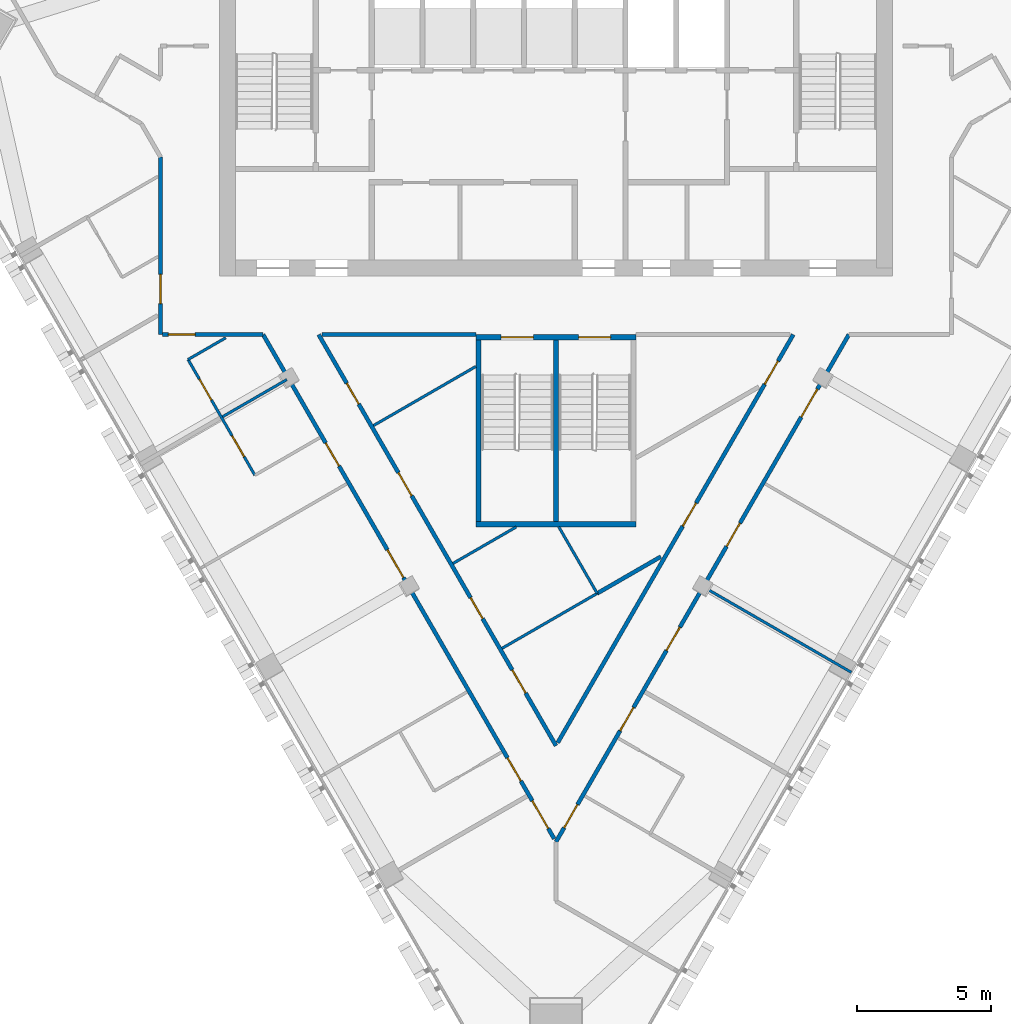
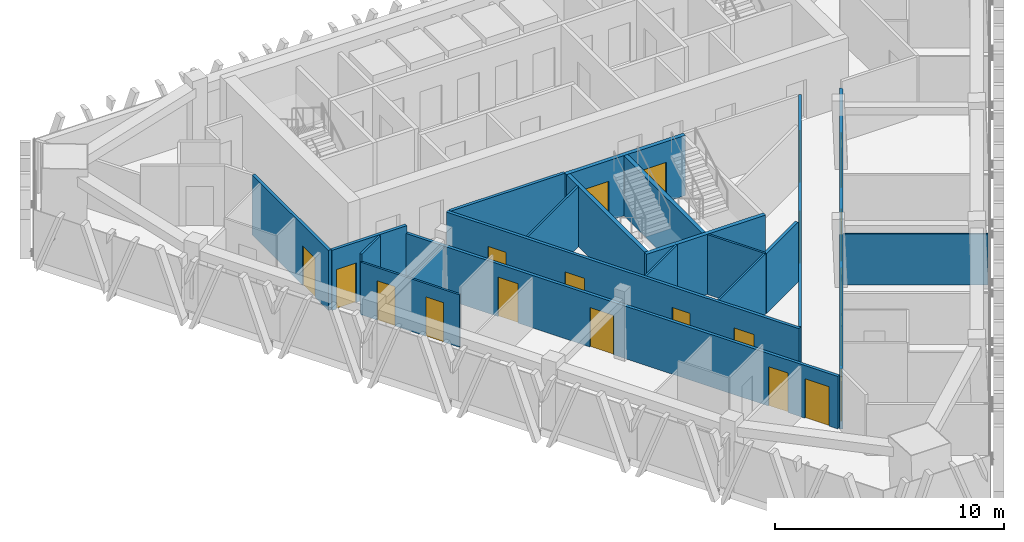
# One storey, part 8 of 14: 21 doors, 20 walls, 21 openings.
"""IFC4 building model written with IfcOpenShell, lengths in metres."""

from ifc_helpers import new_model, si_unit, direction, frame, frame_2d, origin, place, context, subcontext, project, spatial, rectangle, extrude, material, layer, layer_set, type_object, element, fill, save


model = new_model("IFC4")

# Units and contexts
model_context = context("Model", 3, precision=1e-05, world=origin(), true_north=direction((0.0, 1.0)))
body_context = subcontext(model_context, "Body", "Model", "MODEL_VIEW")
ifc_project = project(units=[si_unit("LENGTHUNIT", "METRE"), si_unit("AREAUNIT", "SQUARE_METRE"), si_unit("VOLUMEUNIT", "CUBIC_METRE"), si_unit("PLANEANGLEUNIT", "RADIAN"), si_unit("MASSUNIT", "GRAM", prefix="KILO")], contexts=[model_context])

# Site, building, storey
site_placement = place(None, origin())
site = spatial("IfcSite", under=ifc_project, at=site_placement, CompositionType="ELEMENT")
building_placement = place(site_placement, origin())
building = spatial("IfcBuilding", under=site, at=building_placement, Name="Altiplano Prism Tower", CompositionType="ELEMENT")
storey_placement = place(building_placement, frame((0.0, 0.0, 242.800048828125)))
storey = spatial("IfcBuildingStorey", under=building, at=storey_placement, Name="L62", CompositionType="ELEMENT", Elevation=242.800048828125)

# Wall, openings, doors
ifc_material_1 = material(Name="Plasterboard on steel stud", Category="steel")
ifc_layer_1 = layer(ifc_material_1, 0.10009765625)
ifc_layer_set_1 = layer_set([ifc_layer_1], Name="Plasterboard on steel stud")
wall_type_1 = type_object("IfcWallType", Name="Partition 100 unit", PredefinedType="PARTITIONING", material=ifc_layer_set_1)
wall_1_placement = place(storey_placement, frame((73.72607421875, 85.337158203125, 0.0), z_axis=(0.0, 0.0, 1.0), x_axis=(-0.500004234368, 0.866022959057, 0.0)))
wall_1 = element("IfcWall", 1, at=wall_1_placement, inside=storey, type_object=wall_type_1, Name="Partition P02 L62 036", PredefinedType="PARTITIONING", context=body_context, shape_type="SweptSolid", body=[
    extrude(rectangle(XDim=5.0, YDim=0.10009765625, at=frame_2d((2.5, 0.0))), origin(), (0.0, 0.0, 1.0), 2.800048828125),
])
opening_1_placement = place(wall_1_placement, frame((3.2529296875, 0.0, 0.0)))
opening_1 = element("IfcOpeningElement", 2, at=opening_1_placement, cuts=wall_1, Name="Opening D2027", PredefinedType="OPENING", context=body_context, shape_type="SweptSolid", body=[
    extrude(rectangle(XDim=0.89990234375, YDim=2.10009765625, at=frame_2d((0.449951171875, 1.050048828125))), frame((0.0, 0.060546875, 0.0), z_axis=(0.0, -1.0, 0.0), x_axis=(1.0, 0.0, 0.0)), (0.0, 0.0, 1.0), 0.12109375),
])
opening_2_placement = place(wall_1_placement, frame((0.800048828125, 0.0, 0.0)))
opening_2 = element("IfcOpeningElement", 3, at=opening_2_placement, cuts=wall_1, Name="Opening D2029", PredefinedType="OPENING", context=body_context, shape_type="SweptSolid", body=[
    extrude(rectangle(XDim=0.89990234375, YDim=2.10009765625, at=frame_2d((0.449951171875, 1.050048828125))), frame((0.0, 0.060546875, 0.0), z_axis=(0.0, -1.0, 0.0), x_axis=(1.0, 0.0, 0.0)), (0.0, 0.0, 1.0), 0.12109375),
])
ifc_material_2 = material(Name="Timber", Category="wood")
door_type_1 = type_object("IfcDoorType", Name="Ensuite door 900 x 2100", OperationType="NOTDEFINED", PredefinedType="NOTDEFINED", material=ifc_material_2)
door_1_placement = place(opening_1_placement, origin())
door_1 = element("IfcDoor", 4, at=door_1_placement, inside=storey, type_object=door_type_1, Name="Door D2027", OperationType="SINGLE_SWING_LEFT", OverallHeight=2.10009765625, OverallWidth=0.89990234375, PredefinedType="NOTDEFINED", context=body_context, shape_type="SweptSolid", body=[
    extrude(rectangle(XDim=0.89990234375, YDim=2.10009765625, at=frame_2d((0.449951171875, 1.050048828125))), frame((0.0, 0.02490234375, 0.0), z_axis=(0.0, -1.0, 0.0), x_axis=(1.0, 0.0, 0.0)), (0.0, 0.0, 1.0), 0.050048828125),
])
fill(opening_1, door_1)
door_2_placement = place(opening_2_placement, origin())
door_2 = element("IfcDoor", 5, at=door_2_placement, inside=storey, type_object=door_type_1, Name="Door D2029", OperationType="SINGLE_SWING_LEFT", OverallHeight=2.10009765625, OverallWidth=0.89990234375, PredefinedType="NOTDEFINED", context=body_context, shape_type="SweptSolid", body=[
    extrude(rectangle(XDim=0.89990234375, YDim=2.10009765625, at=frame_2d((0.449951171875, 1.050048828125))), frame((0.0, 0.02490234375, 0.0), z_axis=(0.0, -1.0, 0.0), x_axis=(1.0, 0.0, 0.0)), (0.0, 0.0, 1.0), 0.050048828125),
])
fill(opening_2, door_2)

# Walls
wall_2_placement = place(storey_placement, frame((71.22607421875, 89.667236328125, 0.0), z_axis=(0.0, 0.0, 1.0), x_axis=(0.866020851292, 0.500007885066, 0.0)))
element("IfcWall", 6, at=wall_2_placement, inside=storey, type_object=wall_type_1, Name="Partition P02 L62 037", PredefinedType="PARTITIONING", context=body_context, shape_type="SweptSolid", body=[
    extrude(rectangle(XDim=1.62890625, YDim=0.10009765625, at=frame_2d((0.814453125, 0.0))), origin(), (0.0, 0.0, 1.0), 3.199951171875),
])
ifc_layer_2 = layer(ifc_material_1, 0.10009765625)
ifc_layer_set_2 = layer_set([ifc_layer_2], Name="Plasterboard on steel stud")
wall_type_2 = type_object("IfcWallType", Name="Partition 100 wet", PredefinedType="PARTITIONING", material=ifc_layer_set_2)
wall_3_placement = place(storey_placement, frame((78.16748046875, 87.194580078125, 0.0), z_axis=(0.0, 0.0, 1.0), x_axis=(0.866031245092, 0.499989882422, 0.0)))
element("IfcWall", 7, at=wall_3_placement, inside=storey, type_object=wall_type_2, Name="Partition P03 L62 023", PredefinedType="PARTITIONING", context=body_context, shape_type="SweptSolid", body=[
    extrude(rectangle(XDim=4.42529296875, YDim=0.10009765625, at=frame_2d((2.212646484375, 0.0))), origin(), (0.0, 0.0, 1.0), 3.199951171875),
])
wall_4_placement = place(storey_placement, frame((82.981689453125, 78.85595703125, 0.0), z_axis=(0.0, 0.0, 1.0), x_axis=(0.866016334377, 0.500015708345, 0.0)))
element("IfcWall", 8, at=wall_4_placement, inside=storey, type_object=wall_type_2, Name="Partition P03 L62 024", PredefinedType="PARTITIONING", context=body_context, shape_type="SweptSolid", body=[
    extrude(rectangle(XDim=4.131591796875, YDim=0.10009765625, at=frame_2d((2.06591796875, 0.0))), origin(), (0.0, 0.0, 1.0), 3.199951171875),
])
wall_5_placement = place(storey_placement, frame((86.54248046875, 80.911865234375, 0.0), z_axis=(0.0, 0.0, 1.0), x_axis=(-0.500014238528, 0.866017183011, 0.0)))
element("IfcWall", 9, at=wall_5_placement, inside=storey, type_object=wall_type_2, Name="Partition P03 L62 025", PredefinedType="PARTITIONING", context=body_context, shape_type="SweptSolid", body=[
    extrude(rectangle(XDim=2.873046875, YDim=0.10009765625, at=frame_2d((1.4365234375, 0.0))), origin(), (0.0, 0.0, 1.0), 3.199951171875),
])
wall_6_placement = place(storey_placement, frame((83.5126953125, 83.39990234375, 0.0), z_axis=(0.0, 0.0, 1.0), x_axis=(-0.866068024448, -0.499926171578, 0.0)))
element("IfcWall", 10, at=wall_6_placement, inside=storey, type_object=wall_type_2, Name="Partition P03 L62 026", PredefinedType="PARTITIONING", context=body_context, shape_type="SweptSolid", body=[
    extrude(rectangle(XDim=2.73193359375, YDim=0.10009765625, at=frame_2d((1.365966796875, 0.0))), origin(), (0.0, 0.0, 1.0), 3.199951171875),
])
wall_7_placement = place(storey_placement, frame((72.519287109375, 87.527099609375, 0.0), z_axis=(0.0, 0.0, 1.0), x_axis=(0.86600392025, 0.500037208726, 0.0)))
element("IfcWall", 11, at=wall_7_placement, inside=storey, type_object=wall_type_2, Name="Partition P03 L62 039", PredefinedType="PARTITIONING", context=body_context, shape_type="SweptSolid", body=[
    extrude(rectangle(XDim=2.775146484375, YDim=0.10009765625, at=frame_2d((1.3876953125, 0.0))), origin(), (0.0, 0.0, 1.0), 2.800048828125),
])
wall_8_placement = place(storey_placement, frame((96.054931640625, 77.9580078125, 0.0), z_axis=(0.0, 0.0, 1.0), x_axis=(-0.866032601554, 0.49998753289, 0.0)))
element("IfcWall", 12, at=wall_8_placement, inside=storey, type_object=wall_type_2, Name="Partition P03 L62 053", PredefinedType="PARTITIONING", context=body_context, shape_type="SweptSolid", body=[
    extrude(rectangle(XDim=6.324951171875, YDim=0.10009765625, at=frame_2d((3.16259765625, 0.0))), origin(), (0.0, 0.0, 1.0), 2.699951171875),
])
ifc_layer_3 = layer(ifc_material_1, 0.14990234375)
ifc_layer_set_3 = layer_set([ifc_layer_3], Name="Plasterboard on steel stud")
wall_type_3 = type_object("IfcWallType", Name="Partition 150 corridor", PredefinedType="PARTITIONING", material=ifc_layer_set_3)
wall_9_placement = place(storey_placement, frame((76.24462890625, 90.60009765625, 0.0), z_axis=(0.0, 0.0, 1.0), x_axis=(0.999999985605, -0.000169678457, 0.0)))
element("IfcWall", 13, at=wall_9_placement, inside=storey, type_object=wall_type_3, Name="Partition P06 L62 001", PredefinedType="PARTITIONING", context=body_context, shape_type="SweptSolid", body=[
    extrude(rectangle(XDim=5.75537109375, YDim=0.14990234375, at=frame_2d((2.877685546875, 0.0))), origin(), (0.0, 0.0, 1.0), 3.199951171875),
])

# Wall, opening, door
wall_10_placement = place(storey_placement, frame((70.199951171875, 97.244384765625, 0.0), z_axis=(0.0, 0.0, 1.0), x_axis=(0.0, -1.0, 0.0)))
wall_10 = element("IfcWall", 14, at=wall_10_placement, inside=storey, type_object=wall_type_3, Name="Partition P06 L62 005", PredefinedType="PARTITIONING", context=body_context, shape_type="SweptSolid", body=[
    extrude(rectangle(XDim=6.644287109375, YDim=0.14990234375, at=frame_2d((3.322265625, 0.0))), origin(), (0.0, 0.0, 1.0), 3.199951171875),
])
opening_3_placement = place(wall_10_placement, frame((4.387939453125, 0.0, 0.0)))
opening_3 = element("IfcOpeningElement", 15, at=opening_3_placement, cuts=wall_10, Name="Opening D2024", PredefinedType="OPENING", context=body_context, shape_type="SweptSolid", body=[
    extrude(rectangle(XDim=1.10009765625, YDim=2.10009765625, at=frame_2d((0.550048828125, 1.050048828125))), frame((0.0, 0.08544921875, 0.0), z_axis=(0.0, -1.0, 0.0), x_axis=(1.0, 0.0, 0.0)), (0.0, 0.0, 1.0), 0.1708984375),
])
door_type_2 = type_object("IfcDoorType", Name="Accessible bedroom door 1100 x 2100", OperationType="NOTDEFINED", PredefinedType="NOTDEFINED", material=ifc_material_2)
door_3_placement = place(opening_3_placement, origin())
door_3 = element("IfcDoor", 16, at=door_3_placement, inside=storey, type_object=door_type_2, Name="Door D2024", OperationType="SINGLE_SWING_RIGHT", OverallHeight=2.10009765625, OverallWidth=1.10009765625, PredefinedType="NOTDEFINED", context=body_context, shape_type="SweptSolid", body=[
    extrude(rectangle(XDim=1.10009765625, YDim=2.10009765625, at=frame_2d((0.550048828125, 1.050048828125))), frame((0.0, 0.02490234375, 0.0), z_axis=(0.0, -1.0, 0.0), x_axis=(1.0, 0.0, 0.0)), (0.0, 0.0, 1.0), 0.050048828125),
])
fill(opening_3, door_3)

wall_11_placement = place(storey_placement, frame((70.27490234375, 90.60009765625, 0.0), z_axis=(0.0, 0.0, 1.0), x_axis=(1.0, 0.0, 0.0)))
wall_11 = element("IfcWall", 17, at=wall_11_placement, inside=storey, type_object=wall_type_3, Name="Partition P06 L62 006", PredefinedType="PARTITIONING", context=body_context, shape_type="SweptSolid", body=[
    extrude(rectangle(XDim=3.76123046875, YDim=0.14990234375, at=frame_2d((1.880615234375, 0.0))), origin(), (0.0, 0.0, 1.0), 3.199951171875),
])
opening_4_placement = place(wall_11_placement, frame((0.216064453125, 0.0, 0.0)))
opening_4 = element("IfcOpeningElement", 18, at=opening_4_placement, cuts=wall_11, Name="Opening D2026", PredefinedType="OPENING", context=body_context, shape_type="SweptSolid", body=[
    extrude(rectangle(XDim=1.0, YDim=2.10009765625, at=frame_2d((0.5, 1.050048828125))), frame((0.0, 0.08544921875, 0.0), z_axis=(0.0, -1.0, 0.0), x_axis=(1.0, 0.0, 0.0)), (0.0, 0.0, 1.0), 0.1708984375),
])
door_type_3 = type_object("IfcDoorType", Name="Bedroom entrance door 1000 x 2100", OperationType="NOTDEFINED", PredefinedType="NOTDEFINED", material=ifc_material_2)
door_4_placement = place(opening_4_placement, origin())
door_4 = element("IfcDoor", 19, at=door_4_placement, inside=storey, type_object=door_type_3, Name="Door D2026", OperationType="SINGLE_SWING_LEFT", OverallHeight=2.10009765625, OverallWidth=1.0, PredefinedType="NOTDEFINED", context=body_context, shape_type="SweptSolid", body=[
    extrude(rectangle(XDim=1.0, YDim=2.10009765625, at=frame_2d((0.5, 1.050048828125))), frame((0.0, 0.02490234375, 0.0), z_axis=(0.0, -1.0, 0.0), x_axis=(1.0, 0.0, 0.0)), (0.0, 0.0, 1.0), 0.050048828125),
])
fill(opening_4, door_4)

# Wall, openings, doors
wall_12_placement = place(storey_placement, frame((74.0361328125, 90.60009765625, 0.0), z_axis=(0.0, 0.0, 1.0), x_axis=(0.500001028902, -0.866024809747, 0.0)))
wall_12 = element("IfcWall", 20, at=wall_12_placement, inside=storey, type_object=wall_type_3, Name="Partition P06 L62 007", PredefinedType="PARTITIONING", context=body_context, shape_type="SweptSolid", body=[
    extrude(rectangle(XDim=21.7978515625, YDim=0.14990234375, at=frame_2d((10.89892578125, 0.0))), origin(), (0.0, 0.0, 1.0), 2.800048828125),
])
opening_5_placement = place(wall_12_placement, frame((4.681884765625, 0.0, 0.0)))
opening_5 = element("IfcOpeningElement", 21, at=opening_5_placement, cuts=wall_12, Name="Opening D2028", PredefinedType="OPENING", context=body_context, shape_type="SweptSolid", body=[
    extrude(rectangle(XDim=1.0, YDim=2.10009765625, at=frame_2d((0.5, 1.050048828125))), frame((0.0, 0.08544921875, 0.0), z_axis=(0.0, -1.0, 0.0), x_axis=(1.0, 0.0, 0.0)), (0.0, 0.0, 1.0), 0.1708984375),
])
opening_6_placement = place(wall_12_placement, frame((9.302978515625, 0.0, 0.0)))
opening_6 = element("IfcOpeningElement", 22, at=opening_6_placement, cuts=wall_12, Name="Opening D2030", PredefinedType="OPENING", context=body_context, shape_type="SweptSolid", body=[
    extrude(rectangle(XDim=1.199951171875, YDim=2.10009765625, at=frame_2d((0.60009765625, 1.050048828125))), frame((0.0, 0.08544921875, 0.0), z_axis=(0.0, -1.0, 0.0), x_axis=(1.0, 0.0, 0.0)), (0.0, 0.0, 1.0), 0.1708984375),
])
opening_7_placement = place(wall_12_placement, frame((18.298095703125, 0.0, 0.0)))
opening_7 = element("IfcOpeningElement", 23, at=opening_7_placement, cuts=wall_12, Name="Opening D2031", PredefinedType="OPENING", context=body_context, shape_type="SweptSolid", body=[
    extrude(rectangle(XDim=1.0, YDim=2.10009765625, at=frame_2d((0.5, 1.050048828125))), frame((0.0, 0.08544921875, 0.0), z_axis=(0.0, -1.0, 0.0), x_axis=(1.0, 0.0, 0.0)), (0.0, 0.0, 1.0), 0.1708984375),
])
opening_8_placement = place(wall_12_placement, frame((20.14990234375, 0.0, 0.0)))
opening_8 = element("IfcOpeningElement", 24, at=opening_8_placement, cuts=wall_12, Name="Opening D2033", PredefinedType="OPENING", context=body_context, shape_type="SweptSolid", body=[
    extrude(rectangle(XDim=1.199951171875, YDim=2.10009765625, at=frame_2d((0.60009765625, 1.050048828125))), frame((0.0, 0.08544921875, 0.0), z_axis=(0.0, -1.0, 0.0), x_axis=(1.0, 0.0, 0.0)), (0.0, 0.0, 1.0), 0.1708984375),
])
door_5_placement = place(opening_5_placement, origin())
door_5 = element("IfcDoor", 25, at=door_5_placement, inside=storey, type_object=door_type_3, Name="Door D2028", OperationType="SINGLE_SWING_RIGHT", OverallHeight=2.10009765625, OverallWidth=1.0, PredefinedType="NOTDEFINED", context=body_context, shape_type="SweptSolid", body=[
    extrude(rectangle(XDim=1.0, YDim=2.10009765625, at=frame_2d((0.5, 1.050048828125))), frame((0.0, 0.02490234375, 0.0), z_axis=(0.0, -1.0, 0.0), x_axis=(1.0, 0.0, 0.0)), (0.0, 0.0, 1.0), 0.050048828125),
])
fill(opening_5, door_5)
door_6_placement = place(opening_7_placement, origin())
door_6 = element("IfcDoor", 26, at=door_6_placement, inside=storey, type_object=door_type_3, Name="Door D2031", OperationType="SINGLE_SWING_LEFT", OverallHeight=2.10009765625, OverallWidth=1.0, PredefinedType="NOTDEFINED", context=body_context, shape_type="SweptSolid", body=[
    extrude(rectangle(XDim=1.0, YDim=2.10009765625, at=frame_2d((0.5, 1.050048828125))), frame((0.0, 0.02490234375, 0.0), z_axis=(0.0, -1.0, 0.0), x_axis=(1.0, 0.0, 0.0)), (0.0, 0.0, 1.0), 0.050048828125),
])
fill(opening_7, door_6)
door_type_4 = type_object("IfcDoorType", Name="Shared room door 1200 x 2100", OperationType="NOTDEFINED", PredefinedType="NOTDEFINED", material=ifc_material_2)
door_7_placement = place(opening_6_placement, origin())
door_7 = element("IfcDoor", 27, at=door_7_placement, inside=storey, type_object=door_type_4, Name="Door D2030", OperationType="SINGLE_SWING_RIGHT", OverallHeight=2.10009765625, OverallWidth=1.199951171875, PredefinedType="NOTDEFINED", context=body_context, shape_type="SweptSolid", body=[
    extrude(rectangle(XDim=1.199951171875, YDim=2.10009765625, at=frame_2d((0.60009765625, 1.050048828125))), frame((0.0, 0.02490234375, 0.0), z_axis=(0.0, -1.0, 0.0), x_axis=(1.0, 0.0, 0.0)), (0.0, 0.0, 1.0), 0.050048828125),
])
fill(opening_6, door_7)
door_8_placement = place(opening_8_placement, origin())
door_8 = element("IfcDoor", 28, at=door_8_placement, inside=storey, type_object=door_type_4, Name="Door D2033", OperationType="SINGLE_SWING_RIGHT", OverallHeight=2.10009765625, OverallWidth=1.199951171875, PredefinedType="NOTDEFINED", context=body_context, shape_type="SweptSolid", body=[
    extrude(rectangle(XDim=1.199951171875, YDim=2.10009765625, at=frame_2d((0.60009765625, 1.050048828125))), frame((0.0, 0.02490234375, 0.0), z_axis=(0.0, -1.0, 0.0), x_axis=(1.0, 0.0, 0.0)), (0.0, 0.0, 1.0), 0.050048828125),
])
fill(opening_8, door_8)

wall_13_placement = place(storey_placement, frame((85.0, 71.610107421875, 0.0), z_axis=(0.0, 0.0, 1.0), x_axis=(0.499999699483, 0.866025577288, 0.0)))
wall_13 = element("IfcWall", 29, at=wall_13_placement, inside=storey, type_object=wall_type_3, Name="Partition P06 L62 008", PredefinedType="PARTITIONING", context=body_context, shape_type="SweptSolid", body=[
    extrude(rectangle(XDim=21.927734375, YDim=0.14990234375, at=frame_2d((10.9638671875, 0.0))), origin(), (0.0, 0.0, 1.0), 2.800048828125),
])
opening_9_placement = place(wall_13_placement, frame((0.60791015625, 0.0, 0.0)))
opening_9 = element("IfcOpeningElement", 30, at=opening_9_placement, cuts=wall_13, Name="Opening D2034", PredefinedType="OPENING", context=body_context, shape_type="SweptSolid", body=[
    extrude(rectangle(XDim=1.0, YDim=2.10009765625, at=frame_2d((0.5, 1.050048828125))), frame((0.0, 0.08544921875, 0.0), z_axis=(0.0, -1.0, 0.0), x_axis=(1.0, 0.0, 0.0)), (0.0, 0.0, 1.0), 0.1708984375),
])
opening_10_placement = place(wall_13_placement, frame((4.803955078125, 0.0, 0.0)))
opening_10 = element("IfcOpeningElement", 31, at=opening_10_placement, cuts=wall_13, Name="Opening D2035", PredefinedType="OPENING", context=body_context, shape_type="SweptSolid", body=[
    extrude(rectangle(XDim=1.0, YDim=2.10009765625, at=frame_2d((0.5, 1.050048828125))), frame((0.0, 0.08544921875, 0.0), z_axis=(0.0, -1.0, 0.0), x_axis=(1.0, 0.0, 0.0)), (0.0, 0.0, 1.0), 0.1708984375),
])
opening_11_placement = place(wall_13_placement, frame((8.27490234375, 0.0, 0.0)))
opening_11 = element("IfcOpeningElement", 32, at=opening_11_placement, cuts=wall_13, Name="Opening D2037", PredefinedType="OPENING", context=body_context, shape_type="SweptSolid", body=[
    extrude(rectangle(XDim=1.0, YDim=2.10009765625, at=frame_2d((0.5, 1.050048828125))), frame((0.0, 0.08544921875, 0.0), z_axis=(0.0, -1.0, 0.0), x_axis=(1.0, 0.0, 0.0)), (0.0, 0.0, 1.0), 0.1708984375),
])
opening_12_placement = place(wall_13_placement, frame((12.77490234375, 0.0, 0.0)))
opening_12 = element("IfcOpeningElement", 33, at=opening_12_placement, cuts=wall_13, Name="Opening D2038", PredefinedType="OPENING", context=body_context, shape_type="SweptSolid", body=[
    extrude(rectangle(XDim=1.0, YDim=2.10009765625, at=frame_2d((0.5, 1.050048828125))), frame((0.0, 0.08544921875, 0.0), z_axis=(0.0, -1.0, 0.0), x_axis=(1.0, 0.0, 0.0)), (0.0, 0.0, 1.0), 0.1708984375),
])
opening_13_placement = place(wall_13_placement, frame((18.367919921875, 0.0, 0.0)))
opening_13 = element("IfcOpeningElement", 34, at=opening_13_placement, cuts=wall_13, Name="Opening D2039", PredefinedType="OPENING", context=body_context, shape_type="SweptSolid", body=[
    extrude(rectangle(XDim=1.199951171875, YDim=2.10009765625, at=frame_2d((0.60009765625, 1.050048828125))), frame((0.0, 0.08544921875, 0.0), z_axis=(0.0, -1.0, 0.0), x_axis=(1.0, 0.0, 0.0)), (0.0, 0.0, 1.0), 0.1708984375),
])
door_9_placement = place(opening_10_placement, origin())
door_9 = element("IfcDoor", 35, at=door_9_placement, inside=storey, type_object=door_type_3, Name="Door D2035", OperationType="SINGLE_SWING_RIGHT", OverallHeight=2.10009765625, OverallWidth=1.0, PredefinedType="NOTDEFINED", context=body_context, shape_type="SweptSolid", body=[
    extrude(rectangle(XDim=1.0, YDim=2.10009765625, at=frame_2d((0.5, 1.050048828125))), frame((0.0, 0.02490234375, 0.0), z_axis=(0.0, -1.0, 0.0), x_axis=(1.0, 0.0, 0.0)), (0.0, 0.0, 1.0), 0.050048828125),
])
fill(opening_10, door_9)
door_type_5 = type_object("IfcDoorType", Name="Room door 1000 x 2100", OperationType="NOTDEFINED", PredefinedType="NOTDEFINED", material=ifc_material_2)
door_10_placement = place(opening_9_placement, origin())
door_10 = element("IfcDoor", 36, at=door_10_placement, inside=storey, type_object=door_type_5, Name="Door D2034", OperationType="SINGLE_SWING_LEFT", OverallHeight=2.10009765625, OverallWidth=1.0, PredefinedType="NOTDEFINED", context=body_context, shape_type="SweptSolid", body=[
    extrude(rectangle(XDim=1.0, YDim=2.10009765625, at=frame_2d((0.5, 1.050048828125))), frame((0.0, 0.02490234375, 0.0), z_axis=(0.0, -1.0, 0.0), x_axis=(1.0, 0.0, 0.0)), (0.0, 0.0, 1.0), 0.050048828125),
])
fill(opening_9, door_10)
door_11_placement = place(opening_11_placement, origin())
door_11 = element("IfcDoor", 37, at=door_11_placement, inside=storey, type_object=door_type_5, Name="Door D2037", OperationType="SINGLE_SWING_LEFT", OverallHeight=2.10009765625, OverallWidth=1.0, PredefinedType="NOTDEFINED", context=body_context, shape_type="SweptSolid", body=[
    extrude(rectangle(XDim=1.0, YDim=2.10009765625, at=frame_2d((0.5, 1.050048828125))), frame((0.0, 0.02490234375, 0.0), z_axis=(0.0, -1.0, 0.0), x_axis=(1.0, 0.0, 0.0)), (0.0, 0.0, 1.0), 0.050048828125),
])
fill(opening_11, door_11)
door_12_placement = place(opening_12_placement, origin())
door_12 = element("IfcDoor", 38, at=door_12_placement, inside=storey, type_object=door_type_5, Name="Door D2038", OperationType="SINGLE_SWING_RIGHT", OverallHeight=2.10009765625, OverallWidth=1.0, PredefinedType="NOTDEFINED", context=body_context, shape_type="SweptSolid", body=[
    extrude(rectangle(XDim=1.0, YDim=2.10009765625, at=frame_2d((0.5, 1.050048828125))), frame((0.0, 0.02490234375, 0.0), z_axis=(0.0, -1.0, 0.0), x_axis=(1.0, 0.0, 0.0)), (0.0, 0.0, 1.0), 0.050048828125),
])
fill(opening_12, door_12)
door_13_placement = place(opening_13_placement, origin())
door_13 = element("IfcDoor", 39, at=door_13_placement, inside=storey, type_object=door_type_4, Name="Door D2039", OperationType="SINGLE_SWING_RIGHT", OverallHeight=2.10009765625, OverallWidth=1.199951171875, PredefinedType="NOTDEFINED", context=body_context, shape_type="SweptSolid", body=[
    extrude(rectangle(XDim=1.199951171875, YDim=2.10009765625, at=frame_2d((0.60009765625, 1.050048828125))), frame((0.0, 0.02490234375, 0.0), z_axis=(0.0, -1.0, 0.0), x_axis=(1.0, 0.0, 0.0)), (0.0, 0.0, 1.0), 0.050048828125),
])
fill(opening_13, door_13)

wall_14_placement = place(storey_placement, frame((93.88525390625, 90.60009765625, 0.0), z_axis=(0.0, 0.0, 1.0), x_axis=(-0.499997192861, -0.866027024481, 0.0)))
wall_14 = element("IfcWall", 40, at=wall_14_placement, inside=storey, type_object=wall_type_3, Name="Partition P06 L62 021", PredefinedType="PARTITIONING", context=body_context, shape_type="SweptSolid", body=[
    extrude(rectangle(XDim=17.640625, YDim=0.14990234375, at=frame_2d((8.8203125, 0.0))), origin(), (0.0, 0.0, 1.0), 3.199951171875),
])
opening_14_placement = place(wall_14_placement, frame((1.14306640625, 0.0, 0.0)))
opening_14 = element("IfcOpeningElement", 41, at=opening_14_placement, cuts=wall_14, Name="Opening D2022", PredefinedType="OPENING", context=body_context, shape_type="SweptSolid", body=[
    extrude(rectangle(XDim=1.0, YDim=2.10009765625, at=frame_2d((0.5, 1.050048828125))), frame((0.0, 0.08544921875, 0.0), z_axis=(0.0, -1.0, 0.0), x_axis=(1.0, 0.0, 0.0)), (0.0, 0.0, 1.0), 0.1708984375),
])
opening_15_placement = place(wall_14_placement, frame((7.281005859375, 0.0, 0.0)))
opening_15 = element("IfcOpeningElement", 42, at=opening_15_placement, cuts=wall_14, Name="Opening D2045", PredefinedType="OPENING", context=body_context, shape_type="SweptSolid", body=[
    extrude(rectangle(XDim=1.0, YDim=2.10009765625, at=frame_2d((0.5, 1.050048828125))), frame((0.0, 0.08544921875, 0.0), z_axis=(0.0, -1.0, 0.0), x_axis=(1.0, 0.0, 0.0)), (0.0, 0.0, 1.0), 0.1708984375),
])
door_14_placement = place(opening_14_placement, origin())
door_14 = element("IfcDoor", 43, at=door_14_placement, inside=storey, type_object=door_type_5, Name="Door D2022", OperationType="SINGLE_SWING_RIGHT", OverallHeight=2.10009765625, OverallWidth=1.0, PredefinedType="NOTDEFINED", context=body_context, shape_type="SweptSolid", body=[
    extrude(rectangle(XDim=1.0, YDim=2.10009765625, at=frame_2d((0.5, 1.050048828125))), frame((0.0, 0.02490234375, 0.0), z_axis=(0.0, -1.0, 0.0), x_axis=(1.0, 0.0, 0.0)), (0.0, 0.0, 1.0), 0.050048828125),
])
fill(opening_14, door_14)
door_15_placement = place(opening_15_placement, origin())
door_15 = element("IfcDoor", 44, at=door_15_placement, inside=storey, type_object=door_type_5, Name="Door D2045", OperationType="SINGLE_SWING_RIGHT", OverallHeight=2.10009765625, OverallWidth=1.0, PredefinedType="NOTDEFINED", context=body_context, shape_type="SweptSolid", body=[
    extrude(rectangle(XDim=1.0, YDim=2.10009765625, at=frame_2d((0.5, 1.050048828125))), frame((0.0, 0.02490234375, 0.0), z_axis=(0.0, -1.0, 0.0), x_axis=(1.0, 0.0, 0.0)), (0.0, 0.0, 1.0), 0.050048828125),
])
fill(opening_15, door_15)

wall_15_placement = place(storey_placement, frame((85.0, 75.210205078125, 0.0), z_axis=(0.0, 0.0, 1.0), x_axis=(-0.499995580497, 0.866027955371, 0.0)))
wall_15 = element("IfcWall", 45, at=wall_15_placement, inside=storey, type_object=wall_type_3, Name="Partition P06 L62 022", PredefinedType="PARTITIONING", context=body_context, shape_type="SweptSolid", body=[
    extrude(rectangle(XDim=17.770751953125, YDim=0.14990234375, at=frame_2d((8.88525390625, 0.0))), origin(), (0.0, 0.0, 1.0), 3.199951171875),
])
opening_16_placement = place(wall_15_placement, frame((14.76708984375, 0.0, 0.0)))
opening_16 = element("IfcOpeningElement", 46, at=opening_16_placement, cuts=wall_15, Name="Opening D2019", PredefinedType="OPENING", context=body_context, shape_type="SweptSolid", body=[
    extrude(rectangle(XDim=0.89990234375, YDim=2.10009765625, at=frame_2d((0.449951171875, 1.050048828125))), frame((0.0, 0.08544921875, 0.0), z_axis=(0.0, -1.0, 0.0), x_axis=(1.0, 0.0, 0.0)), (0.0, 0.0, 1.0), 0.1708984375),
])
opening_17_placement = place(wall_15_placement, frame((5.492919921875, 0.0, 0.0)))
opening_17 = element("IfcOpeningElement", 47, at=opening_17_placement, cuts=wall_15, Name="Opening D2020", PredefinedType="OPENING", context=body_context, shape_type="SweptSolid", body=[
    extrude(rectangle(XDim=0.89990234375, YDim=2.10009765625, at=frame_2d((0.449951171875, 1.050048828125))), frame((0.0, 0.08544921875, 0.0), z_axis=(0.0, -1.0, 0.0), x_axis=(1.0, 0.0, 0.0)), (0.0, 0.0, 1.0), 0.1708984375),
])
opening_18_placement = place(wall_15_placement, frame((2.278076171875, 0.0, 0.0)))
opening_18 = element("IfcOpeningElement", 48, at=opening_18_placement, cuts=wall_15, Name="Opening D2021", PredefinedType="OPENING", context=body_context, shape_type="SweptSolid", body=[
    extrude(rectangle(XDim=1.0, YDim=2.10009765625, at=frame_2d((0.5, 1.050048828125))), frame((0.0, 0.08544921875, 0.0), z_axis=(0.0, -1.0, 0.0), x_axis=(1.0, 0.0, 0.0)), (0.0, 0.0, 1.0), 0.1708984375),
])
opening_19_placement = place(wall_15_placement, frame((10.802001953125, 0.0, 0.0)))
opening_19 = element("IfcOpeningElement", 49, at=opening_19_placement, cuts=wall_15, Name="Opening D2046", PredefinedType="OPENING", context=body_context, shape_type="SweptSolid", body=[
    extrude(rectangle(XDim=1.0, YDim=2.10009765625, at=frame_2d((0.5, 1.050048828125))), frame((0.0, 0.08544921875, 0.0), z_axis=(0.0, -1.0, 0.0), x_axis=(1.0, 0.0, 0.0)), (0.0, 0.0, 1.0), 0.1708984375),
])
door_type_6 = type_object("IfcDoorType", Name="Store door 1000 x 2100", OperationType="NOTDEFINED", PredefinedType="NOTDEFINED", material=ifc_material_2)
door_16_placement = place(opening_18_placement, origin())
door_16 = element("IfcDoor", 50, at=door_16_placement, inside=storey, type_object=door_type_6, Name="Door D2021", OperationType="SINGLE_SWING_LEFT", OverallHeight=2.10009765625, OverallWidth=1.0, PredefinedType="NOTDEFINED", context=body_context, shape_type="SweptSolid", body=[
    extrude(rectangle(XDim=1.0, YDim=2.10009765625, at=frame_2d((0.5, 1.050048828125))), frame((0.0, 0.02490234375, 0.0), z_axis=(0.0, -1.0, 0.0), x_axis=(1.0, 0.0, 0.0)), (0.0, 0.0, 1.0), 0.050048828125),
])
fill(opening_18, door_16)
door_17_placement = place(opening_19_placement, origin())
door_17 = element("IfcDoor", 51, at=door_17_placement, inside=storey, type_object=door_type_6, Name="Door D2046", OperationType="SINGLE_SWING_RIGHT", OverallHeight=2.10009765625, OverallWidth=1.0, PredefinedType="NOTDEFINED", context=body_context, shape_type="SweptSolid", body=[
    extrude(rectangle(XDim=1.0, YDim=2.10009765625, at=frame_2d((0.5, 1.050048828125))), frame((0.0, 0.02490234375, 0.0), z_axis=(0.0, -1.0, 0.0), x_axis=(1.0, 0.0, 0.0)), (0.0, 0.0, 1.0), 0.050048828125),
])
fill(opening_19, door_17)
door_type_7 = type_object("IfcDoorType", Name="Toilet door 900 x 2100", OperationType="NOTDEFINED", PredefinedType="NOTDEFINED", material=ifc_material_2)
door_18_placement = place(opening_16_placement, origin())
door_18 = element("IfcDoor", 52, at=door_18_placement, inside=storey, type_object=door_type_7, Name="Door D2019", OperationType="SINGLE_SWING_RIGHT", OverallHeight=2.10009765625, OverallWidth=0.89990234375, PredefinedType="NOTDEFINED", context=body_context, shape_type="SweptSolid", body=[
    extrude(rectangle(XDim=0.89990234375, YDim=2.10009765625, at=frame_2d((0.449951171875, 1.050048828125))), frame((0.0, 0.02490234375, 0.0), z_axis=(0.0, -1.0, 0.0), x_axis=(1.0, 0.0, 0.0)), (0.0, 0.0, 1.0), 0.050048828125),
])
fill(opening_16, door_18)
door_19_placement = place(opening_17_placement, origin())
door_19 = element("IfcDoor", 53, at=door_19_placement, inside=storey, type_object=door_type_7, Name="Door D2020", OperationType="SINGLE_SWING_RIGHT", OverallHeight=2.10009765625, OverallWidth=0.89990234375, PredefinedType="NOTDEFINED", context=body_context, shape_type="SweptSolid", body=[
    extrude(rectangle(XDim=0.89990234375, YDim=2.10009765625, at=frame_2d((0.449951171875, 1.050048828125))), frame((0.0, 0.02490234375, 0.0), z_axis=(0.0, -1.0, 0.0), x_axis=(1.0, 0.0, 0.0)), (0.0, 0.0, 1.0), 0.050048828125),
])
fill(opening_17, door_19)

# Wall
ifc_layer_4 = layer(ifc_material_1, 0.14990234375)
ifc_layer_set_4 = layer_set([ifc_layer_4], Name="Plasterboard on steel stud")
wall_type_4 = type_object("IfcWallType", Name="Partition 150 party", PredefinedType="PARTITIONING", material=ifc_layer_set_4)
wall_16_placement = place(storey_placement, frame((88.924072265625, 82.286865234375, 0.0), z_axis=(0.0, 0.0, 1.0), x_axis=(-0.866027397988, -0.499996545922, 0.0)))
element("IfcWall", 54, at=wall_16_placement, inside=storey, type_object=wall_type_4, Name="Partition P01 L62 027", PredefinedType="PARTITIONING", context=body_context, shape_type="SweptSolid", body=[
    extrude(rectangle(XDim=2.75, YDim=0.14990234375, at=frame_2d((1.375, 0.0))), origin(), (0.0, 0.0, 1.0), 3.199951171875),
])

# Wall, openings, doors
ifc_material_3 = material(Name="Concrete C60/75", Category="concrete")
ifc_layer_5 = layer(ifc_material_3, 0.199951171875)
ifc_layer_set_5 = layer_set([ifc_layer_5], Name="Concrete C60/75")
wall_type_5 = type_object("IfcWallType", Name="Stair wall 200", PredefinedType="SOLIDWALL", material=ifc_layer_set_5)
wall_17_placement = place(storey_placement, frame((82.0, 90.5, 0.0), z_axis=(0.0, 0.0, 1.0), x_axis=(1.0, 0.0, 0.0)))
wall_17 = element("IfcWall", 55, at=wall_17_placement, inside=storey, type_object=wall_type_5, Name="Stair 3 wall north L62", PredefinedType="SOLIDWALL", context=body_context, shape_type="SweptSolid", body=[
    extrude(rectangle(XDim=6.0, YDim=0.199951171875, at=frame_2d((3.0, 0.0))), origin(), (0.0, 0.0, 1.0), 3.199951171875),
])
opening_20_placement = place(wall_17_placement, frame((0.949951171875, 0.0, 0.0)))
opening_20 = element("IfcOpeningElement", 56, at=opening_20_placement, cuts=wall_17, Name="Opening D4046", PredefinedType="OPENING", context=body_context, shape_type="SweptSolid", body=[
    extrude(rectangle(XDim=1.199951171875, YDim=2.10009765625, at=frame_2d((0.60009765625, 1.050048828125))), frame((0.0, 0.1103515625, 0.0), z_axis=(0.0, -1.0, 0.0), x_axis=(1.0, 0.0, 0.0)), (0.0, 0.0, 1.0), 0.220947265625),
])
opening_21_placement = place(wall_17_placement, frame((3.85009765625, 0.0, 0.0)))
opening_21 = element("IfcOpeningElement", 57, at=opening_21_placement, cuts=wall_17, Name="Opening D4047", PredefinedType="OPENING", context=body_context, shape_type="SweptSolid", body=[
    extrude(rectangle(XDim=1.199951171875, YDim=2.10009765625, at=frame_2d((0.60009765625, 1.050048828125))), frame((0.0, 0.1103515625, 0.0), z_axis=(0.0, -1.0, 0.0), x_axis=(1.0, 0.0, 0.0)), (0.0, 0.0, 1.0), 0.220947265625),
])
ifc_material_4 = material(Name="Fire-rated steel door", Category="steel")
door_type_8 = type_object("IfcDoorType", Name="Stair fire door 1200 x 2100", OperationType="NOTDEFINED", PredefinedType="NOTDEFINED", material=ifc_material_4)
door_20_placement = place(opening_20_placement, origin())
door_20 = element("IfcDoor", 58, at=door_20_placement, inside=storey, type_object=door_type_8, Name="Stair fire door D4046", OperationType="SINGLE_SWING_LEFT", OverallHeight=2.10009765625, OverallWidth=1.199951171875, PredefinedType="NOTDEFINED", context=body_context, shape_type="SweptSolid", body=[
    extrude(rectangle(XDim=1.199951171875, YDim=2.10009765625, at=frame_2d((0.60009765625, 1.050048828125))), frame((0.0, 0.02490234375, 0.0), z_axis=(0.0, -1.0, 0.0), x_axis=(1.0, 0.0, 0.0)), (0.0, 0.0, 1.0), 0.050048828125),
])
fill(opening_20, door_20)
door_21_placement = place(opening_21_placement, origin())
door_21 = element("IfcDoor", 59, at=door_21_placement, inside=storey, type_object=door_type_8, Name="Stair fire door D4047", OperationType="SINGLE_SWING_LEFT", OverallHeight=2.10009765625, OverallWidth=1.199951171875, PredefinedType="NOTDEFINED", context=body_context, shape_type="SweptSolid", body=[
    extrude(rectangle(XDim=1.199951171875, YDim=2.10009765625, at=frame_2d((0.60009765625, 1.050048828125))), frame((0.0, 0.02490234375, 0.0), z_axis=(0.0, -1.0, 0.0), x_axis=(1.0, 0.0, 0.0)), (0.0, 0.0, 1.0), 0.050048828125),
])
fill(opening_21, door_21)

# Walls
wall_18_placement = place(storey_placement, frame((82.0, 83.5, 0.0), z_axis=(0.0, 0.0, 1.0), x_axis=(1.0, 0.0, 0.0)))
element("IfcWall", 60, at=wall_18_placement, inside=storey, type_object=wall_type_5, Name="Stair 3 wall south L62", PredefinedType="SOLIDWALL", context=body_context, shape_type="SweptSolid", body=[
    extrude(rectangle(XDim=6.0, YDim=0.199951171875, at=frame_2d((3.0, 0.0))), origin(), (0.0, 0.0, 1.0), 3.199951171875),
])
for number, where, z_axis, x_axis, name in (
    (61, (82.10009765625, 83.60009765625, 0.0), (0.0, 0.0, 1.0), (0.0, 1.0, 0.0), "Stair 3 wall west L62"),
    (62, (85.0, 83.60009765625, 0.0), (0.0, 0.0, 1.0), (0.0, 1.0, 0.0), "Stair 3 wall divider L62"),
):
    element("IfcWall", number, at=place(storey_placement, frame(where, z_axis=z_axis, x_axis=x_axis)), inside=storey, type_object=wall_type_5, Name=name, PredefinedType="SOLIDWALL", context=body_context, shape_type="SweptSolid", body=[
        extrude(rectangle(XDim=6.7998046875, YDim=0.199951171875, at=frame_2d((3.39990234375, 0.0))), origin(), (0.0, 0.0, 1.0), 3.199951171875),
    ])

save(model, "model.ifc")
